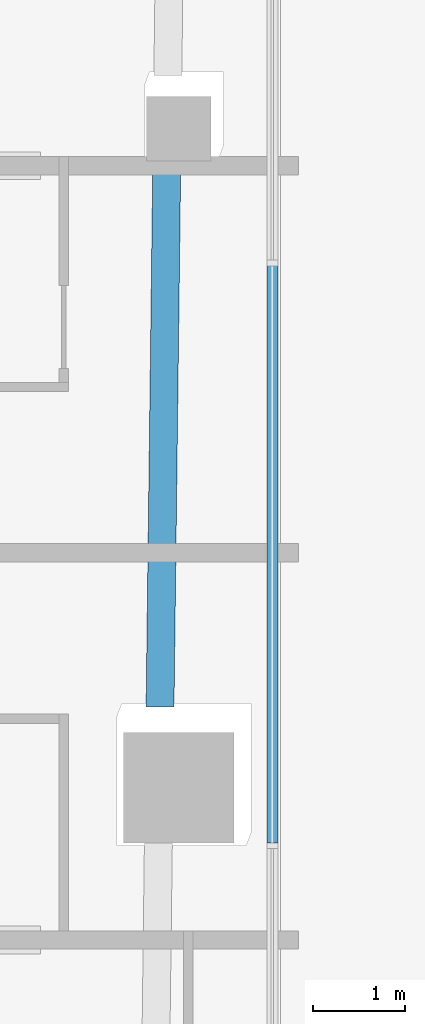
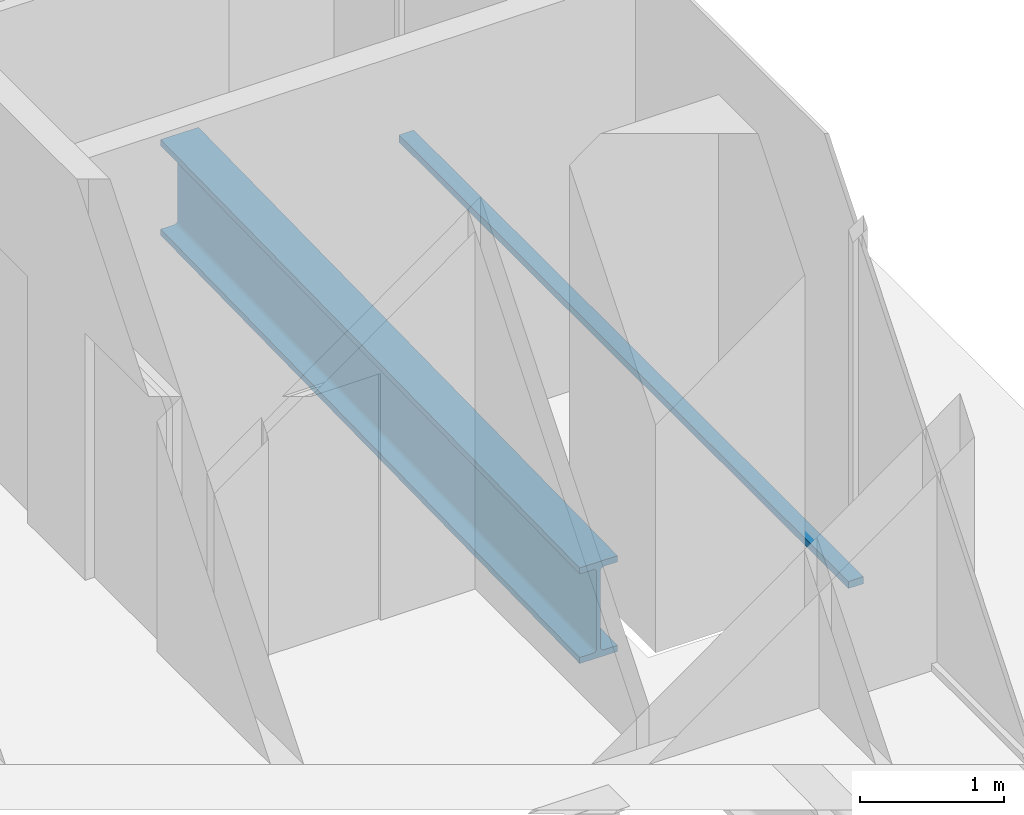
# One storey, part 7 of 21: 1 beam, 1 member, 1 element without a shape of its own.
"""IFC4 building model written with IfcOpenShell, lengths in metres."""

from ifc_helpers import new_model, si_unit, direction, frame, origin, origin_2d, place, context, subcontext, project, spatial, rectangle, i_section, extrude, material, layer, layer_set, material_profile, profile_set, type_object, element, aggregate, save


model = new_model("IFC4")

# Units and contexts
model_context = context("Model", 3, precision=1e-05, world=origin(), true_north=direction((0.0, 1.0)))
body_context = subcontext(model_context, "Body", "Model", "MODEL_VIEW")
ifc_project = project(units=[si_unit("LENGTHUNIT", "METRE"), si_unit("AREAUNIT", "SQUARE_METRE"), si_unit("VOLUMEUNIT", "CUBIC_METRE"), si_unit("PLANEANGLEUNIT", "RADIAN"), si_unit("MASSUNIT", "GRAM", prefix="KILO")], contexts=[model_context])

# Site, building, storey
site_placement = place(None, origin())
site = spatial("IfcSite", under=ifc_project, at=site_placement, CompositionType="ELEMENT")
building_placement = place(site_placement, origin())
building = spatial("IfcBuilding", under=site, at=building_placement, Name="Marenta Gate Hotel Tower", CompositionType="ELEMENT")
storey_placement = place(building_placement, frame((0.0, 0.0, 266.89990234375)))
storey = spatial("IfcBuildingStorey", under=building, at=storey_placement, Name="L61", CompositionType="ELEMENT", Elevation=266.89990234375)

# Beam
ifc_material_1 = material(Name="Steel S355", Category="steel")
ifc_material_profile_1 = material_profile(ifc_material_1, i_section(OverallWidth=0.302978515625, OverallDepth=0.81396484375, WebThickness=0.030029296875, FlangeThickness=0.052001953125, FilletRadius=0.030029296875, at=origin_2d()), Name="HEM 800")
ifc_profile_set_1 = profile_set([ifc_material_profile_1], Name="Steel S355")
beam_type = type_object("IfcBeamType", Name="Edge beam HEM 800", PredefinedType="SPANDREL", material=ifc_profile_set_1)
beam_placement = place(storey_placement, frame((21.96875, 0.09326171875, -0.6669921875), z_axis=(-0.012358376794, -0.999923632345, 0.0), x_axis=(0.999923632345, -0.012358376794, 0.0)))
element("IfcBeam", 1, at=beam_placement, inside=storey, type_object=beam_type, Name="L61-EB-24", PredefinedType="SPANDREL", context=body_context, shape_type="SweptSolid", body=[
    extrude(i_section(OverallWidth=0.302978515625, OverallDepth=0.81396484375, WebThickness=0.030029296875, FlangeThickness=0.052001953125, FilletRadius=0.030029296875, at=origin_2d()), origin(), (0.0, 0.0, 1.0), 5.966064453125),
])

# Curtain wall, member
ifc_material_2 = material(Name="Tinted insulated glass in bronze anodised frame", Category="glass")
ifc_layer = layer(ifc_material_2, 0.1201171875)
ifc_layer_set = layer_set([ifc_layer], Name="Tinted insulated glass in bronze anodised frame")
curtain_wall_type = type_object("IfcCurtainWallType", Name="Tower unitised curtain wall CW1", PredefinedType="NOTDEFINED", material=ifc_layer_set)
curtain_wall_placement = place(storey_placement, origin())
curtain_wall = element("IfcCurtainWall", 2, at=curtain_wall_placement, inside=storey, type_object=curtain_wall_type, Name="CW1 run G11", PredefinedType="NOTDEFINED")
ifc_material_3 = material(Name="Bronze anodised aluminium", Category="aluminium")
ifc_material_profile_2 = material_profile(ifc_material_3, rectangle(XDim=0.1201171875, YDim=0.06005859375, at=origin_2d()), Name="Transom CW1 60x120 bronze anodised aluminium")
ifc_profile_set_2 = profile_set([ifc_material_profile_2], Name="Bronze anodised aluminium")
member_type = type_object("IfcMemberType", Name="Transom CW1 60x120 bronze anodised aluminium", PredefinedType="USERDEFINED", material=ifc_profile_set_2)
member_placement = place(storey_placement, frame((23.114013671875, -7.345947265625, 0.030029296875), z_axis=(0.0, 1.0, 0.0), x_axis=(-1.0, 0.0, 0.0)))
member = element("IfcMember", 3, at=member_placement, type_object=member_type, Name="CW1 transom 4.1", ObjectType="TRANSOM", PredefinedType="USERDEFINED", context=body_context, shape_type="SweptSolid", body=[
    extrude(rectangle(XDim=0.1201171875, YDim=0.06005859375, at=origin_2d()), origin(), (0.0, 0.0, 1.0), 6.2626953125),
])
aggregate(curtain_wall, [member])

save(model, "model.ifc")
